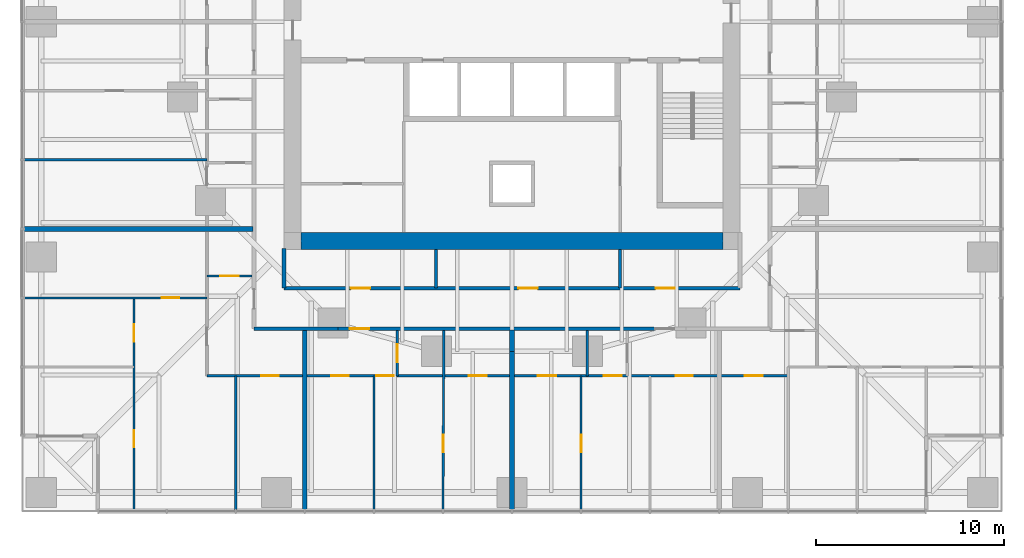
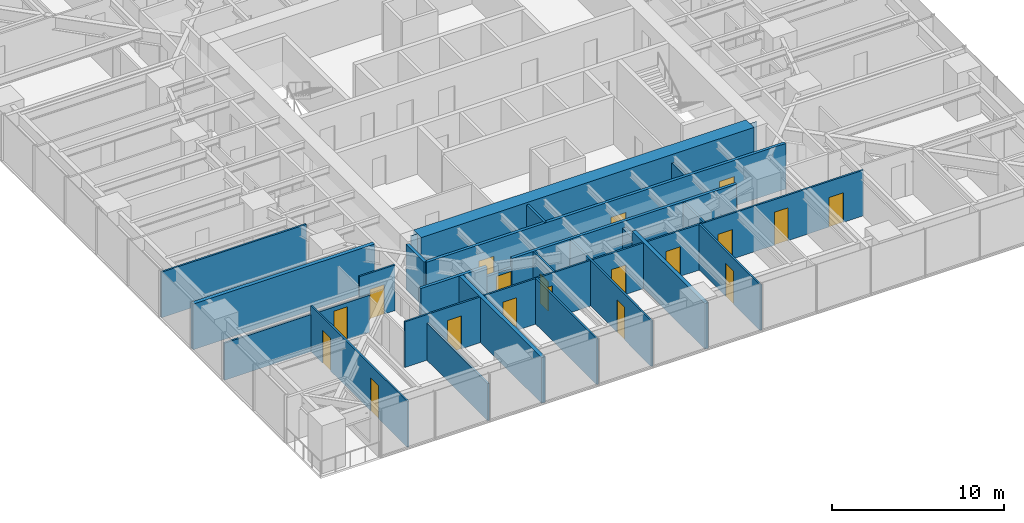
# One storey, part 8 of 14: 23 walls, 19 doors, 19 openings.
"""IFC4 building model written with IfcOpenShell, lengths in metres."""

from ifc_helpers import new_model, si_unit, direction, frame, frame_2d, origin, place, context, subcontext, project, spatial, polyline, rectangle, outline, extrude, material, layer, layer_set, type_object, element, fill, save


model = new_model("IFC4")

# Units and contexts
model_context = context("Model", 3, precision=1e-05, world=origin(), true_north=direction((0.0, 1.0)))
body_context = subcontext(model_context, "Body", "Model", "MODEL_VIEW")
ifc_project = project(units=[si_unit("LENGTHUNIT", "METRE"), si_unit("AREAUNIT", "SQUARE_METRE"), si_unit("VOLUMEUNIT", "CUBIC_METRE"), si_unit("PLANEANGLEUNIT", "RADIAN"), si_unit("MASSUNIT", "GRAM", prefix="KILO")], contexts=[model_context])

# Site, building, storey
site_placement = place(None, origin())
site = spatial("IfcSite", under=ifc_project, at=site_placement, CompositionType="ELEMENT")
building_placement = place(site_placement, origin())
building = spatial("IfcBuilding", under=site, at=building_placement, Name="Torsade Residences", CompositionType="ELEMENT")
storey_placement = place(building_placement, frame((0.0, 0.0, 32.0)))
storey = spatial("IfcBuildingStorey", under=building, at=storey_placement, Name="L08", CompositionType="ELEMENT", Elevation=32.0)

# Walls
ifc_material_1 = material(Name="Concrete 80 MPa", Category="concrete")
ifc_layer_1 = layer(ifc_material_1, 0.89990234375)
ifc_layer_set_1 = layer_set([ifc_layer_1], Name="Concrete 80 MPa")
wall_type_1 = type_object("IfcWallType", Name="CORE WALL 900", PredefinedType="SHEAR", material=ifc_layer_set_1)
wall_1_placement = place(storey_placement, frame((51.199951171875, 18.35009765625, 0.0), z_axis=(0.0, 0.0, 1.0), x_axis=(-1.0, 0.0, 0.0)))
element("IfcWall", 1, at=wall_1_placement, inside=storey, type_object=wall_type_1, Name="Core wall S L08", PredefinedType="SHEAR", context=body_context, shape_type="SweptSolid", body=[
    extrude(outline(polyline([(0.0, -0.449951171875), (22.39990234375, -0.449951171875), (22.39990234375, -0.02490234375), (22.849853515625, -0.02490234375), (22.849853515625, 0.02490234375), (22.39990234375, 0.02490234375), (22.39990234375, 0.449951171875), (0.0, 0.449951171875), (0.0, 0.02490234375), (-0.449951171875, 0.02490234375), (-0.449951171875, -0.02490234375), (0.0, -0.02490234375), (0.0, -0.449951171875)])), origin(), (0.0, 0.0, 1.0), 3.39990234375),
])
ifc_material_2 = material(Name="Plasterboard on steel stud", Category="steel")
ifc_layer_2 = layer(ifc_material_2, 0.199951171875)
ifc_layer_set_2 = layer_set([ifc_layer_2], Name="Plasterboard on steel stud")
wall_type_2 = type_object("IfcWallType", Name="CORRIDOR WALL 200", PredefinedType="PARTITIONING", material=ifc_layer_set_2)
wall_2_placement = place(storey_placement, frame((26.300048828125, 13.699951171875, 0.0), z_axis=(0.0, 0.0, 1.0), x_axis=(1.0, 0.0, 0.0)))
element("IfcWall", 2, at=wall_2_placement, inside=storey, type_object=wall_type_2, Name="Corridor wall L08", PredefinedType="PARTITIONING", context=body_context, shape_type="SweptSolid", body=[
    extrude(rectangle(XDim=4.458251953125, YDim=0.199951171875, at=frame_2d((2.22900390625, 0.0))), origin(), (0.0, 0.0, 1.0), 3.25),
])

# Wall, opening, door
wall_3_placement = place(storey_placement, frame((30.75830078125, 13.699951171875, 0.0), z_axis=(0.0, 0.0, 1.0), x_axis=(1.0, 0.0, 0.0)))
wall_3 = element("IfcWall", 3, at=wall_3_placement, inside=storey, type_object=wall_type_2, Name="Corridor wall L08", PredefinedType="PARTITIONING", context=body_context, shape_type="SweptSolid", body=[
    extrude(rectangle(XDim=1.683349609375, YDim=0.199951171875, at=frame_2d((0.841796875, 0.0))), origin(), (0.0, 0.0, 1.0), 2.550048828125),
])
opening_1_placement = place(wall_3_placement, frame((0.63671875, 0.0, 0.0)))
opening_1 = element("IfcOpeningElement", 4, at=opening_1_placement, cuts=wall_3, Name="Opening D01", PredefinedType="OPENING", context=body_context, shape_type="SweptSolid", body=[
    extrude(rectangle(XDim=1.02001953125, YDim=2.340087890625, at=frame_2d((0.510009765625, 1.169921875))), frame((0.0, 0.10986328125, 0.0), z_axis=(0.0, -1.0, 0.0), x_axis=(1.0, 0.0, 0.0)), (0.0, 0.0, 1.0), 0.219970703125),
])
ifc_material_3 = material(Name="Solid-core timber fire door", Category="wood")
door_type_1 = type_object("IfcDoorType", Name="APARTMENT ENTRY DOOR 1020x2340", OperationType="NOTDEFINED", PredefinedType="DOOR", material=ifc_material_3)
door_1_placement = place(opening_1_placement, origin())
door_1 = element("IfcDoor", 5, at=door_1_placement, inside=storey, type_object=door_type_1, Name="Door Residential corridor to Kitchen and dining", OperationType="SINGLE_SWING_LEFT", OverallHeight=2.340087890625, OverallWidth=1.02001953125, PredefinedType="DOOR", context=body_context, shape_type="SweptSolid", body=[
    extrude(rectangle(XDim=1.02001953125, YDim=2.340087890625, at=frame_2d((0.510009765625, 1.169921875))), frame((0.0, 0.02490234375, 0.0), z_axis=(0.0, -1.0, 0.0), x_axis=(1.0, 0.0, 0.0)), (0.0, 0.0, 1.0), 0.050048828125),
])
fill(opening_1, door_1)

# Walls
wall_4_placement = place(storey_placement, frame((32.441650390625, 13.699951171875, 0.0), z_axis=(0.0, 0.0, 1.0), x_axis=(1.0, 0.0, 0.0)))
element("IfcWall", 6, at=wall_4_placement, inside=storey, type_object=wall_type_2, Name="Corridor wall L08", PredefinedType="PARTITIONING", context=body_context, shape_type="SweptSolid", body=[
    extrude(rectangle(XDim=15.11669921875, YDim=0.199951171875, at=frame_2d((7.558349609375, 0.0))), origin(), (0.0, 0.0, 1.0), 3.25),
])
wall_5_placement = place(storey_placement, frame((27.89990234375, 17.949951171875, 0.0), z_axis=(0.0, 0.0, 1.0), x_axis=(0.0, -1.0, 0.0)))
element("IfcWall", 7, at=wall_5_placement, inside=storey, type_object=wall_type_2, Name="Corridor wall L08", PredefinedType="PARTITIONING", context=body_context, shape_type="SweptSolid", body=[
    extrude(rectangle(XDim=2.099853515625, YDim=0.199951171875, at=frame_2d((1.0498046875, 0.0))), origin(), (0.0, 0.0, 1.0), 3.25),
])

# Wall, openings, doors
wall_6_placement = place(storey_placement, frame((27.89990234375, 15.85009765625, 0.0), z_axis=(0.0, 0.0, 1.0), x_axis=(1.0, 0.0, 0.0)))
wall_6 = element("IfcWall", 8, at=wall_6_placement, inside=storey, type_object=wall_type_2, Name="Corridor wall L08", PredefinedType="PARTITIONING", context=body_context, shape_type="SweptSolid", body=[
    extrude(rectangle(XDim=24.2001953125, YDim=0.199951171875, at=frame_2d((12.10009765625, 0.0))), origin(), (0.0, 0.0, 1.0), 3.25),
])
opening_2_placement = place(wall_6_placement, frame((12.43701171875, 0.0, 0.0)))
opening_2 = element("IfcOpeningElement", 9, at=opening_2_placement, cuts=wall_6, Name="Opening D03", PredefinedType="OPENING", context=body_context, shape_type="SweptSolid", body=[
    extrude(rectangle(XDim=1.02001953125, YDim=2.10009765625, at=frame_2d((0.510009765625, 1.050048828125))), frame((0.0, 0.10986328125, 0.0), z_axis=(0.0, -1.0, 0.0), x_axis=(1.0, 0.0, 0.0)), (0.0, 0.0, 1.0), 0.219970703125),
])
opening_3_placement = place(wall_6_placement, frame((3.544189453125, 0.0, 0.0)))
opening_3 = element("IfcOpeningElement", 10, at=opening_3_placement, cuts=wall_6, Name="Opening D03", PredefinedType="OPENING", context=body_context, shape_type="SweptSolid", body=[
    extrude(rectangle(XDim=1.02001953125, YDim=2.10009765625, at=frame_2d((0.510009765625, 1.050048828125))), frame((0.0, 0.10986328125, 0.0), z_axis=(0.0, -1.0, 0.0), x_axis=(1.0, 0.0, 0.0)), (0.0, 0.0, 1.0), 0.219970703125),
])
opening_4_placement = place(wall_6_placement, frame((19.732666015625, 0.0, 0.0)))
opening_4 = element("IfcOpeningElement", 11, at=opening_4_placement, cuts=wall_6, Name="Opening D03", PredefinedType="OPENING", context=body_context, shape_type="SweptSolid", body=[
    extrude(rectangle(XDim=1.02001953125, YDim=2.10009765625, at=frame_2d((0.510009765625, 1.050048828125))), frame((0.0, 0.10986328125, 0.0), z_axis=(0.0, -1.0, 0.0), x_axis=(1.0, 0.0, 0.0)), (0.0, 0.0, 1.0), 0.219970703125),
])
ifc_material_4 = material(Name="Steel-framed fire door", Category="steel")
door_type_2 = type_object("IfcDoorType", Name="FIRE DOOR 1020", OperationType="NOTDEFINED", PredefinedType="DOOR", material=ifc_material_4)
door_2_placement = place(opening_2_placement, origin())
door_2 = element("IfcDoor", 12, at=door_2_placement, inside=storey, type_object=door_type_2, Name="Door Residential corridor to Bulk store", OperationType="SINGLE_SWING_RIGHT", OverallHeight=2.10009765625, OverallWidth=1.02001953125, PredefinedType="DOOR", context=body_context, shape_type="SweptSolid", body=[
    extrude(rectangle(XDim=1.02001953125, YDim=2.10009765625, at=frame_2d((0.510009765625, 1.050048828125))), frame((0.0, 0.02490234375, 0.0), z_axis=(0.0, -1.0, 0.0), x_axis=(1.0, 0.0, 0.0)), (0.0, 0.0, 1.0), 0.050048828125),
])
fill(opening_2, door_2)
door_3_placement = place(opening_3_placement, origin())
door_3 = element("IfcDoor", 13, at=door_3_placement, inside=storey, type_object=door_type_2, Name="Door Residential corridor to Residents storage", OperationType="SINGLE_SWING_LEFT", OverallHeight=2.10009765625, OverallWidth=1.02001953125, PredefinedType="DOOR", context=body_context, shape_type="SweptSolid", body=[
    extrude(rectangle(XDim=1.02001953125, YDim=2.10009765625, at=frame_2d((0.510009765625, 1.050048828125))), frame((0.0, 0.02490234375, 0.0), z_axis=(0.0, -1.0, 0.0), x_axis=(1.0, 0.0, 0.0)), (0.0, 0.0, 1.0), 0.050048828125),
])
fill(opening_3, door_3)
door_4_placement = place(opening_4_placement, origin())
door_4 = element("IfcDoor", 14, at=door_4_placement, inside=storey, type_object=door_type_2, Name="Door Residential corridor to Parcel room", OperationType="SINGLE_SWING_LEFT", OverallHeight=2.10009765625, OverallWidth=1.02001953125, PredefinedType="DOOR", context=body_context, shape_type="SweptSolid", body=[
    extrude(rectangle(XDim=1.02001953125, YDim=2.10009765625, at=frame_2d((0.510009765625, 1.050048828125))), frame((0.0, 0.02490234375, 0.0), z_axis=(0.0, -1.0, 0.0), x_axis=(1.0, 0.0, 0.0)), (0.0, 0.0, 1.0), 0.050048828125),
])
fill(opening_4, door_4)

# Wall
ifc_material_5 = material(Name="Plasterboard on steel stud", Category="steel")
ifc_layer_3 = layer(ifc_material_5, 0.1201171875)
ifc_layer_set_3 = layer_set([ifc_layer_3], Name="Plasterboard on steel stud")
wall_type_3 = type_object("IfcWallType", Name="PARTITION 120", PredefinedType="PARTITIONING", material=ifc_layer_set_3)
wall_7_placement = place(storey_placement, frame((14.0400390625, 22.666748046875, 0.0), z_axis=(0.0, 0.0, 1.0), x_axis=(1.0, 0.0, 0.0)))
element("IfcWall", 15, at=wall_7_placement, inside=storey, type_object=wall_type_3, Name="Partition L08", PredefinedType="PARTITIONING", context=body_context, shape_type="SweptSolid", body=[
    extrude(rectangle(XDim=9.760009765625, YDim=0.1201171875, at=frame_2d((4.8798828125, 0.0))), origin(), (0.0, 0.0, 1.0), 3.25),
])

# Wall, opening, door
wall_8_placement = place(storey_placement, frame((23.800048828125, 16.49853515625, 0.0), z_axis=(0.0, 0.0, 1.0), x_axis=(1.0, 0.0, 0.0)))
wall_8 = element("IfcWall", 16, at=wall_8_placement, inside=storey, type_object=wall_type_3, Name="Partition L08", PredefinedType="PARTITIONING", context=body_context, shape_type="SweptSolid", body=[
    extrude(rectangle(XDim=2.39990234375, YDim=0.1201171875, at=frame_2d((1.199951171875, 0.0))), origin(), (0.0, 0.0, 1.0), 3.25),
])
opening_5_placement = place(wall_8_placement, frame((0.719970703125, 0.0, 0.0)))
opening_5 = element("IfcOpeningElement", 17, at=opening_5_placement, cuts=wall_8, Name="Opening D05", PredefinedType="OPENING", context=body_context, shape_type="SweptSolid", body=[
    extrude(rectangle(XDim=0.9599609375, YDim=2.10009765625, at=frame_2d((0.47998046875, 1.050048828125))), frame((0.0, 0.070068359375, 0.0), z_axis=(0.0, -1.0, 0.0), x_axis=(1.0, 0.0, 0.0)), (0.0, 0.0, 1.0), 0.14013671875),
])
ifc_material_6 = material(Name="Hollow-core timber door in a steel cavity frame", Category="steel")
door_type_3 = type_object("IfcDoorType", Name="BATHROOM CAVITY SLIDING DOOR 960", OperationType="SLIDING_TO_LEFT", PredefinedType="DOOR", material=ifc_material_6)
door_5_placement = place(opening_5_placement, origin())
door_5 = element("IfcDoor", 18, at=door_5_placement, inside=storey, type_object=door_type_3, Name="Door Kitchen and dining to Bathroom", OperationType="SLIDING_TO_LEFT", OverallHeight=2.10009765625, OverallWidth=0.9599609375, PredefinedType="DOOR", context=body_context, shape_type="SweptSolid", body=[
    extrude(rectangle(XDim=0.9599609375, YDim=2.10009765625, at=frame_2d((0.47998046875, 1.050048828125))), frame((0.0, 0.02490234375, 0.0), z_axis=(0.0, -1.0, 0.0), x_axis=(1.0, 0.0, 0.0)), (0.0, 0.0, 1.0), 0.050048828125),
])
fill(opening_5, door_5)

# Wall, openings, doors
wall_9_placement = place(storey_placement, frame((54.666748046875, 11.199951171875, 0.0), z_axis=(0.0, 0.0, 1.0), x_axis=(-1.0, 0.0, 0.0)))
wall_9 = element("IfcWall", 19, at=wall_9_placement, inside=storey, type_object=wall_type_3, Name="Partition L08", PredefinedType="PARTITIONING", context=body_context, shape_type="SweptSolid", body=[
    extrude(rectangle(XDim=30.86669921875, YDim=0.1201171875, at=frame_2d((15.433349609375, 0.0))), origin(), (0.0, 0.0, 1.0), 3.25),
])
opening_6_placement = place(wall_9_placement, frame((23.348388671875, 0.0, 0.0)))
opening_6 = element("IfcOpeningElement", 20, at=opening_6_placement, cuts=wall_9, Name="Opening D02", PredefinedType="OPENING", context=body_context, shape_type="SweptSolid", body=[
    extrude(rectangle(XDim=0.919921875, YDim=2.340087890625, at=frame_2d((0.4599609375, 1.169921875))), frame((0.0, 0.070068359375, 0.0), z_axis=(0.0, -1.0, 0.0), x_axis=(1.0, 0.0, 0.0)), (0.0, 0.0, 1.0), 0.14013671875),
])
opening_7_placement = place(wall_9_placement, frame((20.943359375, 0.0, 0.0)))
opening_7 = element("IfcOpeningElement", 21, at=opening_7_placement, cuts=wall_9, Name="Opening D02", PredefinedType="OPENING", context=body_context, shape_type="SweptSolid", body=[
    extrude(rectangle(XDim=0.919921875, YDim=2.340087890625, at=frame_2d((0.4599609375, 1.169921875))), frame((0.0, 0.070068359375, 0.0), z_axis=(0.0, -1.0, 0.0), x_axis=(1.0, 0.0, 0.0)), (0.0, 0.0, 1.0), 0.14013671875),
])
opening_8_placement = place(wall_9_placement, frame((5.06494140625, 0.0, 0.0)))
opening_8 = element("IfcOpeningElement", 22, at=opening_8_placement, cuts=wall_9, Name="Opening D02", PredefinedType="OPENING", context=body_context, shape_type="SweptSolid", body=[
    extrude(rectangle(XDim=0.919921875, YDim=2.340087890625, at=frame_2d((0.4599609375, 1.169921875))), frame((0.0, 0.070068359375, 0.0), z_axis=(0.0, -1.0, 0.0), x_axis=(1.0, 0.0, 0.0)), (0.0, 0.0, 1.0), 0.14013671875),
])
opening_9_placement = place(wall_9_placement, frame((27.06494140625, 0.0, 0.0)))
opening_9 = element("IfcOpeningElement", 23, at=opening_9_placement, cuts=wall_9, Name="Opening D02", PredefinedType="OPENING", context=body_context, shape_type="SweptSolid", body=[
    extrude(rectangle(XDim=0.919921875, YDim=2.340087890625, at=frame_2d((0.4599609375, 1.169921875))), frame((0.0, 0.070068359375, 0.0), z_axis=(0.0, -1.0, 0.0), x_axis=(1.0, 0.0, 0.0)), (0.0, 0.0, 1.0), 0.14013671875),
])
opening_10_placement = place(wall_9_placement, frame((1.353271484375, 0.0, 0.0)))
opening_10 = element("IfcOpeningElement", 24, at=opening_10_placement, cuts=wall_9, Name="Opening D05", PredefinedType="OPENING", context=body_context, shape_type="SweptSolid", body=[
    extrude(rectangle(XDim=0.9599609375, YDim=2.10009765625, at=frame_2d((0.47998046875, 1.050048828125))), frame((0.0, 0.070068359375, 0.0), z_axis=(0.0, -1.0, 0.0), x_axis=(1.0, 0.0, 0.0)), (0.0, 0.0, 1.0), 0.14013671875),
])
opening_11_placement = place(wall_9_placement, frame((8.829833984375, 0.0, 0.0)))
opening_11 = element("IfcOpeningElement", 25, at=opening_11_placement, cuts=wall_9, Name="Opening D05", PredefinedType="OPENING", context=body_context, shape_type="SweptSolid", body=[
    extrude(rectangle(XDim=0.9599609375, YDim=2.10009765625, at=frame_2d((0.47998046875, 1.050048828125))), frame((0.0, 0.070068359375, 0.0), z_axis=(0.0, -1.0, 0.0), x_axis=(1.0, 0.0, 0.0)), (0.0, 0.0, 1.0), 0.14013671875),
])
opening_12_placement = place(wall_9_placement, frame((12.328369140625, 0.0, 0.0)))
opening_12 = element("IfcOpeningElement", 26, at=opening_12_placement, cuts=wall_9, Name="Opening D05", PredefinedType="OPENING", context=body_context, shape_type="SweptSolid", body=[
    extrude(rectangle(XDim=0.9599609375, YDim=2.10009765625, at=frame_2d((0.47998046875, 1.050048828125))), frame((0.0, 0.070068359375, 0.0), z_axis=(0.0, -1.0, 0.0), x_axis=(1.0, 0.0, 0.0)), (0.0, 0.0, 1.0), 0.14013671875),
])
opening_13_placement = place(wall_9_placement, frame((15.99560546875, 0.0, 0.0)))
opening_13 = element("IfcOpeningElement", 27, at=opening_13_placement, cuts=wall_9, Name="Opening D05", PredefinedType="OPENING", context=body_context, shape_type="SweptSolid", body=[
    extrude(rectangle(XDim=0.9599609375, YDim=2.10009765625, at=frame_2d((0.47998046875, 1.050048828125))), frame((0.0, 0.070068359375, 0.0), z_axis=(0.0, -1.0, 0.0), x_axis=(1.0, 0.0, 0.0)), (0.0, 0.0, 1.0), 0.14013671875),
])
door_6_placement = place(opening_10_placement, origin())
door_6 = element("IfcDoor", 28, at=door_6_placement, inside=storey, type_object=door_type_3, Name="Door Bathroom to Study", OperationType="SLIDING_TO_LEFT", OverallHeight=2.10009765625, OverallWidth=0.9599609375, PredefinedType="DOOR", context=body_context, shape_type="SweptSolid", body=[
    extrude(rectangle(XDim=0.9599609375, YDim=2.10009765625, at=frame_2d((0.47998046875, 1.050048828125))), frame((0.0, 0.02490234375, 0.0), z_axis=(0.0, -1.0, 0.0), x_axis=(1.0, 0.0, 0.0)), (0.0, 0.0, 1.0), 0.050048828125),
])
fill(opening_10, door_6)
door_7_placement = place(opening_11_placement, origin())
door_7 = element("IfcDoor", 29, at=door_7_placement, inside=storey, type_object=door_type_3, Name="Door Bathroom to Bedroom 2", OperationType="SLIDING_TO_LEFT", OverallHeight=2.10009765625, OverallWidth=0.9599609375, PredefinedType="DOOR", context=body_context, shape_type="SweptSolid", body=[
    extrude(rectangle(XDim=0.9599609375, YDim=2.10009765625, at=frame_2d((0.47998046875, 1.050048828125))), frame((0.0, 0.02490234375, 0.0), z_axis=(0.0, -1.0, 0.0), x_axis=(1.0, 0.0, 0.0)), (0.0, 0.0, 1.0), 0.050048828125),
])
fill(opening_11, door_7)
door_8_placement = place(opening_12_placement, origin())
door_8 = element("IfcDoor", 30, at=door_8_placement, inside=storey, type_object=door_type_3, Name="Door Living room to Ensuite", OperationType="SLIDING_TO_LEFT", OverallHeight=2.10009765625, OverallWidth=0.9599609375, PredefinedType="DOOR", context=body_context, shape_type="SweptSolid", body=[
    extrude(rectangle(XDim=0.9599609375, YDim=2.10009765625, at=frame_2d((0.47998046875, 1.050048828125))), frame((0.0, 0.02490234375, 0.0), z_axis=(0.0, -1.0, 0.0), x_axis=(1.0, 0.0, 0.0)), (0.0, 0.0, 1.0), 0.050048828125),
])
fill(opening_12, door_8)
door_9_placement = place(opening_13_placement, origin())
door_9 = element("IfcDoor", 31, at=door_9_placement, inside=storey, type_object=door_type_3, Name="Door Bedroom 1 to Bathroom", OperationType="SLIDING_TO_LEFT", OverallHeight=2.10009765625, OverallWidth=0.9599609375, PredefinedType="DOOR", context=body_context, shape_type="SweptSolid", body=[
    extrude(rectangle(XDim=0.9599609375, YDim=2.10009765625, at=frame_2d((0.47998046875, 1.050048828125))), frame((0.0, 0.02490234375, 0.0), z_axis=(0.0, -1.0, 0.0), x_axis=(1.0, 0.0, 0.0)), (0.0, 0.0, 1.0), 0.050048828125),
])
fill(opening_13, door_9)
ifc_material_7 = material(Name="Hollow-core timber door", Category="wood")
door_type_4 = type_object("IfcDoorType", Name="INTERNAL DOOR 920x2340", OperationType="NOTDEFINED", PredefinedType="DOOR", material=ifc_material_7)
door_10_placement = place(opening_6_placement, origin())
door_10 = element("IfcDoor", 32, at=door_10_placement, inside=storey, type_object=door_type_4, Name="Door Kitchen and dining to Living room", OperationType="SINGLE_SWING_RIGHT", OverallHeight=2.340087890625, OverallWidth=0.919921875, PredefinedType="DOOR", context=body_context, shape_type="SweptSolid", body=[
    extrude(rectangle(XDim=0.919921875, YDim=2.340087890625, at=frame_2d((0.4599609375, 1.169921875))), frame((0.0, 0.02490234375, 0.0), z_axis=(0.0, -1.0, 0.0), x_axis=(1.0, 0.0, 0.0)), (0.0, 0.0, 1.0), 0.050048828125),
])
fill(opening_6, door_10)
door_11_placement = place(opening_7_placement, origin())
door_11 = element("IfcDoor", 33, at=door_11_placement, inside=storey, type_object=door_type_4, Name="Door Kitchen and dining to Bedroom 2", OperationType="SINGLE_SWING_RIGHT", OverallHeight=2.340087890625, OverallWidth=0.919921875, PredefinedType="DOOR", context=body_context, shape_type="SweptSolid", body=[
    extrude(rectangle(XDim=0.919921875, YDim=2.340087890625, at=frame_2d((0.4599609375, 1.169921875))), frame((0.0, 0.02490234375, 0.0), z_axis=(0.0, -1.0, 0.0), x_axis=(1.0, 0.0, 0.0)), (0.0, 0.0, 1.0), 0.050048828125),
])
fill(opening_7, door_11)
door_12_placement = place(opening_8_placement, origin())
door_12 = element("IfcDoor", 34, at=door_12_placement, inside=storey, type_object=door_type_4, Name="Door Kitchen and dining to Bedroom 1", OperationType="SINGLE_SWING_LEFT", OverallHeight=2.340087890625, OverallWidth=0.919921875, PredefinedType="DOOR", context=body_context, shape_type="SweptSolid", body=[
    extrude(rectangle(XDim=0.919921875, YDim=2.340087890625, at=frame_2d((0.4599609375, 1.169921875))), frame((0.0, 0.02490234375, 0.0), z_axis=(0.0, -1.0, 0.0), x_axis=(1.0, 0.0, 0.0)), (0.0, 0.0, 1.0), 0.050048828125),
])
fill(opening_8, door_12)
door_13_placement = place(opening_9_placement, origin())
door_13 = element("IfcDoor", 35, at=door_13_placement, inside=storey, type_object=door_type_4, Name="Door Kitchen and dining to Study", OperationType="SINGLE_SWING_RIGHT", OverallHeight=2.340087890625, OverallWidth=0.919921875, PredefinedType="DOOR", context=body_context, shape_type="SweptSolid", body=[
    extrude(rectangle(XDim=0.919921875, YDim=2.340087890625, at=frame_2d((0.4599609375, 1.169921875))), frame((0.0, 0.02490234375, 0.0), z_axis=(0.0, -1.0, 0.0), x_axis=(1.0, 0.0, 0.0)), (0.0, 0.0, 1.0), 0.050048828125),
])
fill(opening_9, door_13)

# Wall, opening, door
wall_10_placement = place(storey_placement, frame((14.0400390625, 15.333251953125, 0.0), z_axis=(0.0, 0.0, 1.0), x_axis=(1.0, 0.0, 0.0)))
wall_10 = element("IfcWall", 36, at=wall_10_placement, inside=storey, type_object=wall_type_3, Name="Partition L08", PredefinedType="PARTITIONING", context=body_context, shape_type="SweptSolid", body=[
    extrude(rectangle(XDim=9.760009765625, YDim=0.1201171875, at=frame_2d((4.8798828125, 0.0))), origin(), (0.0, 0.0, 1.0), 2.637939453125),
])
opening_14_placement = place(wall_10_placement, frame((7.363525390625, 0.0, 0.0)))
opening_14 = element("IfcOpeningElement", 37, at=opening_14_placement, cuts=wall_10, Name="Opening D02", PredefinedType="OPENING", context=body_context, shape_type="SweptSolid", body=[
    extrude(rectangle(XDim=0.919921875, YDim=2.340087890625, at=frame_2d((0.4599609375, 1.169921875))), frame((0.0, 0.070068359375, 0.0), z_axis=(0.0, -1.0, 0.0), x_axis=(1.0, 0.0, 0.0)), (0.0, 0.0, 1.0), 0.14013671875),
])
door_14_placement = place(opening_14_placement, origin())
door_14 = element("IfcDoor", 38, at=door_14_placement, inside=storey, type_object=door_type_4, Name="Door Living room to Bedroom 1", OperationType="SINGLE_SWING_RIGHT", OverallHeight=2.340087890625, OverallWidth=0.919921875, PredefinedType="DOOR", context=body_context, shape_type="SweptSolid", body=[
    extrude(rectangle(XDim=0.919921875, YDim=2.340087890625, at=frame_2d((0.4599609375, 1.169921875))), frame((0.0, 0.02490234375, 0.0), z_axis=(0.0, -1.0, 0.0), x_axis=(1.0, 0.0, 0.0)), (0.0, 0.0, 1.0), 0.050048828125),
])
fill(opening_14, door_14)

# Wall, openings, doors
wall_11_placement = place(storey_placement, frame((19.927001953125, 4.0400390625, 0.0), z_axis=(0.0, 0.0, 1.0), x_axis=(0.0, 1.0, 0.0)))
wall_11 = element("IfcWall", 39, at=wall_11_placement, inside=storey, type_object=wall_type_3, Name="Partition L08", PredefinedType="PARTITIONING", context=body_context, shape_type="SweptSolid", body=[
    extrude(rectangle(XDim=11.293212890625, YDim=0.1201171875, at=frame_2d((5.646484375, 0.0))), origin(), (0.0, 0.0, 1.0), 3.25),
])
opening_15_placement = place(wall_11_placement, frame((3.3583984375, 0.0, 0.0)))
opening_15 = element("IfcOpeningElement", 40, at=opening_15_placement, cuts=wall_11, Name="Opening D02", PredefinedType="OPENING", context=body_context, shape_type="SweptSolid", body=[
    extrude(rectangle(XDim=0.919921875, YDim=2.340087890625, at=frame_2d((0.4599609375, 1.169921875))), frame((0.0, 0.070068359375, 0.0), z_axis=(0.0, -1.0, 0.0), x_axis=(1.0, 0.0, 0.0)), (0.0, 0.0, 1.0), 0.14013671875),
])
opening_16_placement = place(wall_11_placement, frame((8.97509765625, 0.0, 0.0)))
opening_16 = element("IfcOpeningElement", 41, at=opening_16_placement, cuts=wall_11, Name="Opening D02", PredefinedType="OPENING", context=body_context, shape_type="SweptSolid", body=[
    extrude(rectangle(XDim=0.919921875, YDim=2.340087890625, at=frame_2d((0.4599609375, 1.169921875))), frame((0.0, 0.070068359375, 0.0), z_axis=(0.0, -1.0, 0.0), x_axis=(1.0, 0.0, 0.0)), (0.0, 0.0, 1.0), 0.14013671875),
])
door_15_placement = place(opening_15_placement, origin())
door_15 = element("IfcDoor", 42, at=door_15_placement, inside=storey, type_object=door_type_4, Name="Door Living room to Bedroom 2", OperationType="SINGLE_SWING_RIGHT", OverallHeight=2.340087890625, OverallWidth=0.919921875, PredefinedType="DOOR", context=body_context, shape_type="SweptSolid", body=[
    extrude(rectangle(XDim=0.919921875, YDim=2.340087890625, at=frame_2d((0.4599609375, 1.169921875))), frame((0.0, 0.02490234375, 0.0), z_axis=(0.0, -1.0, 0.0), x_axis=(1.0, 0.0, 0.0)), (0.0, 0.0, 1.0), 0.050048828125),
])
fill(opening_15, door_15)
door_16_placement = place(opening_16_placement, origin())
door_16 = element("IfcDoor", 43, at=door_16_placement, inside=storey, type_object=door_type_4, Name="Door Living room to Family room", OperationType="SINGLE_SWING_LEFT", OverallHeight=2.340087890625, OverallWidth=0.919921875, PredefinedType="DOOR", context=body_context, shape_type="SweptSolid", body=[
    extrude(rectangle(XDim=0.919921875, YDim=2.340087890625, at=frame_2d((0.4599609375, 1.169921875))), frame((0.0, 0.02490234375, 0.0), z_axis=(0.0, -1.0, 0.0), x_axis=(1.0, 0.0, 0.0)), (0.0, 0.0, 1.0), 0.050048828125),
])
fill(opening_16, door_16)

# Wall
wall_12_placement = place(storey_placement, frame((25.333251953125, 11.199951171875, 0.0), z_axis=(0.0, 0.0, 1.0), x_axis=(0.0, -1.0, 0.0)))
element("IfcWall", 44, at=wall_12_placement, inside=storey, type_object=wall_type_3, Name="Partition L08", PredefinedType="PARTITIONING", context=body_context, shape_type="SweptSolid", body=[
    extrude(rectangle(XDim=7.159912109375, YDim=0.1201171875, at=frame_2d((3.580078125, 0.0))), origin(), (0.0, 0.0, 1.0), 2.637939453125),
])

# Wall, opening, door
wall_13_placement = place(storey_placement, frame((33.909912109375, 13.60009765625, 0.0), z_axis=(0.0, 0.0, 1.0), x_axis=(0.0, -1.0, 0.0)))
wall_13 = element("IfcWall", 45, at=wall_13_placement, inside=storey, type_object=wall_type_3, Name="Partition L08", PredefinedType="PARTITIONING", context=body_context, shape_type="SweptSolid", body=[
    extrude(rectangle(XDim=2.400146484375, YDim=0.1201171875, at=frame_2d((1.2001953125, 0.0))), origin(), (0.0, 0.0, 1.0), 3.25),
])
opening_17_placement = place(wall_13_placement, frame((0.719970703125, 0.0, 0.0)))
opening_17 = element("IfcOpeningElement", 46, at=opening_17_placement, cuts=wall_13, Name="Opening D05", PredefinedType="OPENING", context=body_context, shape_type="SweptSolid", body=[
    extrude(rectangle(XDim=0.9599609375, YDim=2.10009765625, at=frame_2d((0.47998046875, 1.050048828125))), frame((0.0, 0.070068359375, 0.0), z_axis=(0.0, -1.0, 0.0), x_axis=(1.0, 0.0, 0.0)), (0.0, 0.0, 1.0), 0.14013671875),
])
door_17_placement = place(opening_17_placement, origin())
door_17 = element("IfcDoor", 47, at=door_17_placement, inside=storey, type_object=door_type_3, Name="Door Kitchen and dining to Ensuite", OperationType="SLIDING_TO_LEFT", OverallHeight=2.10009765625, OverallWidth=0.9599609375, PredefinedType="DOOR", context=body_context, shape_type="SweptSolid", body=[
    extrude(rectangle(XDim=0.9599609375, YDim=2.10009765625, at=frame_2d((0.47998046875, 1.050048828125))), frame((0.0, 0.02490234375, 0.0), z_axis=(0.0, -1.0, 0.0), x_axis=(1.0, 0.0, 0.0)), (0.0, 0.0, 1.0), 0.050048828125),
])
fill(opening_17, door_17)

wall_14_placement = place(storey_placement, frame((36.333251953125, 4.0400390625, 0.0), z_axis=(0.0, 0.0, 1.0), x_axis=(0.005107446534, 0.99998695691, 0.0)))
wall_14 = element("IfcWall", 48, at=wall_14_placement, inside=storey, type_object=wall_type_3, Name="Partition L08", PredefinedType="PARTITIONING", context=body_context, shape_type="SweptSolid", body=[
    extrude(rectangle(XDim=9.560302734375, YDim=0.1201171875, at=frame_2d((4.7802734375, 0.0))), origin(), (0.0, 0.0, 1.0), 3.25),
])
opening_18_placement = place(wall_14_placement, frame((3.099853515625, 0.0, 0.0)))
opening_18 = element("IfcOpeningElement", 49, at=opening_18_placement, cuts=wall_14, Name="Opening D02", PredefinedType="OPENING", context=body_context, shape_type="SweptSolid", body=[
    extrude(rectangle(XDim=0.919921875, YDim=2.340087890625, at=frame_2d((0.4599609375, 1.169921875))), frame((0.0, 0.070068359375, 0.0), z_axis=(0.0, -1.0, 0.0), x_axis=(1.0, 0.0, 0.0)), (0.0, 0.0, 1.0), 0.14013671875),
])
door_18_placement = place(opening_18_placement, origin())
door_18 = element("IfcDoor", 50, at=door_18_placement, inside=storey, type_object=door_type_4, Name="Door Bedroom 2 to Bedroom 1", OperationType="SINGLE_SWING_LEFT", OverallHeight=2.340087890625, OverallWidth=0.919921875, PredefinedType="DOOR", context=body_context, shape_type="SweptSolid", body=[
    extrude(rectangle(XDim=0.919921875, YDim=2.340087890625, at=frame_2d((0.4599609375, 1.169921875))), frame((0.0, 0.02490234375, 0.0), z_axis=(0.0, -1.0, 0.0), x_axis=(1.0, 0.0, 0.0)), (0.0, 0.0, 1.0), 0.050048828125),
])
fill(opening_18, door_18)

# Walls
wall_15_placement = place(storey_placement, frame((32.666748046875, 11.199951171875, 0.0), z_axis=(0.0, 0.0, 1.0), x_axis=(0.0, -1.0, 0.0)))
element("IfcWall", 51, at=wall_15_placement, inside=storey, type_object=wall_type_3, Name="Partition L08", PredefinedType="PARTITIONING", context=body_context, shape_type="SweptSolid", body=[
    extrude(rectangle(XDim=7.159912109375, YDim=0.1201171875, at=frame_2d((3.580078125, 0.0))), origin(), (0.0, 0.0, 1.0), 3.25),
])
wall_16_placement = place(storey_placement, frame((44.0, 11.199951171875, 0.0), z_axis=(0.0, 0.0, 1.0), x_axis=(0.0, 1.0, 0.0)))
element("IfcWall", 52, at=wall_16_placement, inside=storey, type_object=wall_type_3, Name="Partition L08", PredefinedType="PARTITIONING", context=body_context, shape_type="SweptSolid", body=[
    extrude(rectangle(XDim=2.400146484375, YDim=0.1201171875, at=frame_2d((1.2001953125, 0.0))), origin(), (0.0, 0.0, 1.0), 3.25),
])

# Wall, opening, door
wall_17_placement = place(storey_placement, frame((43.666748046875, 11.199951171875, 0.0), z_axis=(0.0, 0.0, 1.0), x_axis=(0.0, -1.0, 0.0)))
wall_17 = element("IfcWall", 53, at=wall_17_placement, inside=storey, type_object=wall_type_3, Name="Partition L08", PredefinedType="PARTITIONING", context=body_context, shape_type="SweptSolid", body=[
    extrude(rectangle(XDim=7.159912109375, YDim=0.1201171875, at=frame_2d((3.580078125, 0.0))), origin(), (0.0, 0.0, 1.0), 3.25),
])
opening_19_placement = place(wall_17_placement, frame((3.139892578125, 0.0, 0.0)))
opening_19 = element("IfcOpeningElement", 54, at=opening_19_placement, cuts=wall_17, Name="Opening D02", PredefinedType="OPENING", context=body_context, shape_type="SweptSolid", body=[
    extrude(rectangle(XDim=0.919921875, YDim=2.340087890625, at=frame_2d((0.4599609375, 1.169921875))), frame((0.0, 0.070068359375, 0.0), z_axis=(0.0, -1.0, 0.0), x_axis=(1.0, 0.0, 0.0)), (0.0, 0.0, 1.0), 0.14013671875),
])
door_19_placement = place(opening_19_placement, origin())
door_19 = element("IfcDoor", 55, at=door_19_placement, inside=storey, type_object=door_type_4, Name="Door Bedroom 2 to Living room", OperationType="SINGLE_SWING_LEFT", OverallHeight=2.340087890625, OverallWidth=0.919921875, PredefinedType="DOOR", context=body_context, shape_type="SweptSolid", body=[
    extrude(rectangle(XDim=0.919921875, YDim=2.340087890625, at=frame_2d((0.4599609375, 1.169921875))), frame((0.0, 0.02490234375, 0.0), z_axis=(0.0, -1.0, 0.0), x_axis=(1.0, 0.0, 0.0)), (0.0, 0.0, 1.0), 0.050048828125),
])
fill(opening_19, door_19)

# Walls
ifc_material_8 = material(Name="Masonry-lined stud party wall", Category="masonry")
ifc_layer_4 = layer(ifc_material_8, 0.25)
ifc_layer_set_4 = layer_set([ifc_layer_4], Name="Masonry-lined stud party wall")
wall_type_4 = type_object("IfcWallType", Name="PARTY WALL 250", PredefinedType="PARTITIONING", material=ifc_layer_set_4)
wall_18_placement = place(storey_placement, frame((29.0, 4.0, 0.0), z_axis=(0.0, 0.0, 1.0), x_axis=(0.0, 1.0, 0.0)))
element("IfcWall", 56, at=wall_18_placement, inside=storey, type_object=wall_type_4, Name="Party wall L08", PredefinedType="PARTITIONING", context=body_context, shape_type="SweptSolid", body=[
    extrude(rectangle(XDim=9.639892578125, YDim=0.25, at=frame_2d((4.81982421875, 0.0))), origin(), (0.0, 0.0, 1.0), 3.25),
])
wall_19_placement = place(storey_placement, frame((40.0, 4.0, 0.0), z_axis=(0.0, 0.0, 1.0), x_axis=(0.0, 1.0, 0.0)))
element("IfcWall", 57, at=wall_19_placement, inside=storey, type_object=wall_type_4, Name="Party wall L08", PredefinedType="PARTITIONING", context=body_context, shape_type="SweptSolid", body=[
    extrude(rectangle(XDim=8.5, YDim=0.25, at=frame_2d((4.25, 0.0))), origin(), (0.0, 0.0, 1.0), 3.25),
])
wall_20_placement = place(storey_placement, frame((40.0, 12.5, 0.0), z_axis=(0.0, 0.0, 1.0), x_axis=(0.0, 1.0, 0.0)))
element("IfcWall", 58, at=wall_20_placement, inside=storey, type_object=wall_type_4, Name="Party wall L08", PredefinedType="PARTITIONING", context=body_context, shape_type="SweptSolid", body=[
    extrude(rectangle(XDim=1.139892578125, YDim=0.25, at=frame_2d((0.56982421875, 0.0))), origin(), (0.0, 0.0, 1.0), 2.7958984375),
])
wall_21_placement = place(storey_placement, frame((14.0, 19.0, 0.0), z_axis=(0.0, 0.0, 1.0), x_axis=(1.0, 0.0, 0.0)))
element("IfcWall", 59, at=wall_21_placement, inside=storey, type_object=wall_type_4, Name="Party wall L08", PredefinedType="PARTITIONING", context=body_context, shape_type="SweptSolid", body=[
    extrude(rectangle(XDim=12.239990234375, YDim=0.25, at=frame_2d((6.1201171875, 0.0))), origin(), (0.0, 0.0, 1.0), 3.25),
])
ifc_material_9 = material(Name="Reinforced blockwork", Category="masonry")
ifc_layer_5 = layer(ifc_material_9, 0.14990234375)
ifc_layer_set_5 = layer_set([ifc_layer_5], Name="Reinforced blockwork")
wall_type_5 = type_object("IfcWallType", Name="SERVICE ROOM WALL 150", PredefinedType="SOLIDWALL", material=ifc_layer_set_5)
wall_22_placement = place(storey_placement, frame((35.95849609375, 15.85009765625, 0.0), z_axis=(0.0, 0.0, 1.0), x_axis=(0.0, 1.0, 0.0)))
element("IfcWall", 60, at=wall_22_placement, inside=storey, type_object=wall_type_5, Name="Service room wall L08", PredefinedType="SOLIDWALL", context=body_context, shape_type="SweptSolid", body=[
    extrude(rectangle(XDim=2.0498046875, YDim=0.14990234375, at=frame_2d((1.02490234375, 0.0))), origin(), (0.0, 0.0, 1.0), 3.25),
])
wall_23_placement = place(storey_placement, frame((45.7353515625, 15.85009765625, 0.0), z_axis=(0.0, 0.0, 1.0), x_axis=(0.0, 1.0, 0.0)))
element("IfcWall", 61, at=wall_23_placement, inside=storey, type_object=wall_type_5, Name="Service room wall L08", PredefinedType="SOLIDWALL", context=body_context, shape_type="SweptSolid", body=[
    extrude(rectangle(XDim=2.0498046875, YDim=0.14990234375, at=frame_2d((1.02490234375, 0.0))), origin(), (0.0, 0.0, 1.0), 2.7958984375),
])

save(model, "model.ifc")
